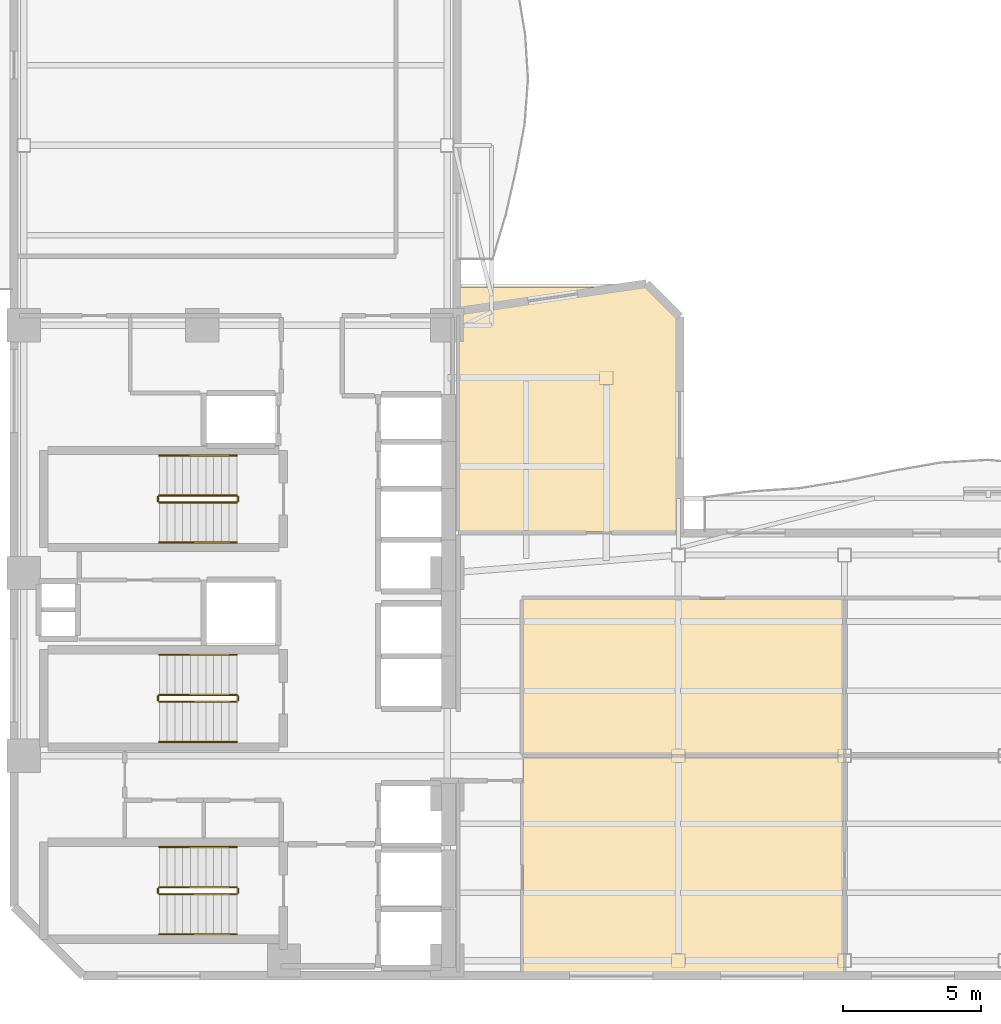
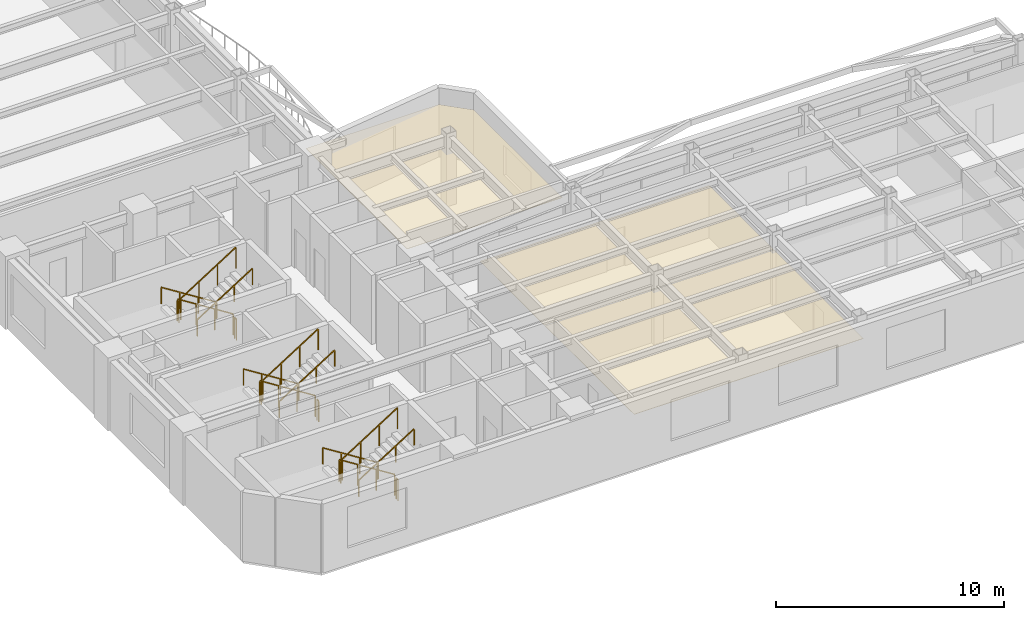
# One storey, part 7 of 9: 18 railings, 3 coverings.
"""IFC4 building model written with IfcOpenShell, lengths in metres."""

import ifcopenshell
import ifcopenshell.guid

model = None  # the IFC model being written
_history = None  # IfcOwnerHistory: only IFC2X3 demands one
_inside = {}  # id of a spatial element -> (the spatial element, [elements in it])
_under = {}  # id of a project, library or spatial element -> (it, [spatial elements below it])
_declared = {}  # id of a project -> (the project, [libraries it declares])
_typed = {}  # id of a type object -> (the type object, [elements of that type])
_made_of = {}  # id of a material, layer set ... -> (it, [elements and type objects made of it])


def new_model(schema):
    """Start an empty IFC model of exactly this schema.

    Asked for "IFC4X3", IfcOpenShell would pick the latest addendum, in which some entities
    have other attributes; the version numbers below select the first issue.
    IFC2X3 requires an IfcOwnerHistory on every rooted entity: one is made here for all.
    """
    global model, _history
    if schema == "IFC4X3":
        model = ifcopenshell.file(schema_version=(4, 3, 0, 0))
    else:
        model = ifcopenshell.file(schema=schema)
    _inside.clear()
    _under.clear()
    _declared.clear()
    _typed.clear()
    _made_of.clear()
    _history = None
    if model.schema == "IFC2X3":
        org = make("IfcOrganization", Name="unknown")
        user = make(
            "IfcPersonAndOrganization",
            ThePerson=make("IfcPerson", FamilyName="unknown"),
            TheOrganization=org,
        )
        app = make(
            "IfcApplication",
            ApplicationDeveloper=org,
            Version="unknown",
            ApplicationFullName="unknown",
            ApplicationIdentifier="unknown",
        )
        _history = make(
            "IfcOwnerHistory",
            OwningUser=user,
            OwningApplication=app,
            ChangeAction="ADDED",
            CreationDate=0,
        )
    return model


def make(cls, **values):
    """One entity of the class cls with the attributes given. An attribute that is None is left unset."""
    return model.create_entity(
        cls, **{name: value for name, value in values.items() if value is not None}
    )


def rooted(cls, **values):
    """An entity with a GlobalId (a new one), such as an element, a storey or a relation."""
    return make(cls, GlobalId=ifcopenshell.guid.new(), OwnerHistory=_history, **values)


def si_unit(unit_type, name, prefix=None):
    """IfcSIUnit, for example si_unit("LENGTHUNIT", "METRE", prefix="MILLI")."""
    return make("IfcSIUnit", UnitType=unit_type, Prefix=prefix, Name=name)


def assignment(units):
    """IfcUnitAssignment: the units of a project."""
    return None if units is None else make("IfcUnitAssignment", Units=units)


def point(xyz):
    """IfcCartesianPoint."""
    return None if xyz is None else make("IfcCartesianPoint", Coordinates=xyz)


def direction(xyz):
    """IfcDirection."""
    return None if xyz is None else make("IfcDirection", DirectionRatios=xyz)


def frame(location, z_axis=None, x_axis=None):
    """IfcAxis2Placement3D, a coordinate frame: its origin and axes. An axis left out is left unset."""
    return make(
        "IfcAxis2Placement3D",
        Location=point(location),
        Axis=direction(z_axis),
        RefDirection=direction(x_axis),
    )


def frame_2d(location, x_axis=None):
    """IfcAxis2Placement2D, a coordinate frame in the plane: its origin and x axis."""
    return make(
        "IfcAxis2Placement2D", Location=point(location), RefDirection=direction(x_axis)
    )


def origin():
    """The frame at (0, 0, 0) with its axes left unset."""
    return frame((0.0, 0.0, 0.0))


def origin_2d():
    """The frame at (0, 0) in the plane with its x axis left unset."""
    return frame_2d((0.0, 0.0))


def place(relative_to, where):
    """IfcLocalPlacement: puts the frame where relative to a parent placement (None: the world)."""
    return make(
        "IfcLocalPlacement", PlacementRelTo=relative_to, RelativePlacement=where
    )


def context(
    kind, dimensions, precision=None, world=None, true_north=None, identifier=None
):
    """IfcGeometricRepresentationContext, for example the 3D "Model" context."""
    return make(
        "IfcGeometricRepresentationContext",
        ContextIdentifier=identifier,
        ContextType=kind,
        CoordinateSpaceDimension=dimensions,
        Precision=precision,
        WorldCoordinateSystem=world,
        TrueNorth=true_north,
    )


def subcontext(parent, identifier, kind, view, scale=None):
    """IfcGeometricRepresentationSubContext, for example "Body" below "Model"."""
    return make(
        "IfcGeometricRepresentationSubContext",
        ContextIdentifier=identifier,
        ContextType=kind,
        ParentContext=parent,
        TargetScale=scale,
        TargetView=view,
    )


def project(units=None, contexts=None):
    """IfcProject with its units and contexts."""
    return rooted(
        "IfcProject",
        Name="project",
        RepresentationContexts=contexts,
        UnitsInContext=assignment(units),
    )


def spatial(cls, under=None, at=None, **own):
    """A site, building, storey or space (cls), placed at a placement, below another one or the project."""
    s = rooted(cls, ObjectPlacement=at, **own)
    if under is not None:
        _under.setdefault(under.id(), (under, []))[1].append(s)
    return s


def polyline(points):
    """IfcPolyline through the points."""
    return make("IfcPolyline", Points=[point(p) for p in points])


def profile(cls, at=None, kind="AREA", **sizes):
    """A parametric profile (cls). Its sizes go by their IFC names, for example OverallWidth=200.0."""
    return make(cls, ProfileType=kind, Position=at, **sizes)


def rectangle(**sizes):
    """IfcRectangleProfileDef."""
    return profile("IfcRectangleProfileDef", **sizes)


def outline(outer, holes=None, kind="AREA"):
    """IfcArbitraryClosedProfileDef: a profile drawn as a closed curve; with holes, ...WithVoids."""
    if holes is None:
        return make("IfcArbitraryClosedProfileDef", ProfileType=kind, OuterCurve=outer)
    return make(
        "IfcArbitraryProfileDefWithVoids",
        ProfileType=kind,
        OuterCurve=outer,
        InnerCurves=holes,
    )


def extrude(swept, where, along, depth):
    """IfcExtrudedAreaSolid: the profile swept, set in the frame where, extruded along a direction by depth."""
    return make(
        "IfcExtrudedAreaSolid",
        SweptArea=swept,
        Position=where,
        ExtrudedDirection=direction(along),
        Depth=depth,
    )


def shape(context_of_items, identifier, shape_type, items):
    """IfcShapeRepresentation: the items that make up one representation, for example the "Body"."""
    return make(
        "IfcShapeRepresentation",
        ContextOfItems=context_of_items,
        RepresentationIdentifier=identifier,
        RepresentationType=shape_type,
        Items=items,
    )


def material(Name=None, Category=None):
    """IfcMaterial."""
    return make("IfcMaterial", Name=Name, Category=Category)


def layer(
    of_material, thickness, ventilated=None, Name=None, Category=None, Priority=None
):
    """IfcMaterialLayer: one layer of a wall or slab, of a material (None: an air gap)."""
    return make(
        "IfcMaterialLayer",
        Material=of_material,
        LayerThickness=thickness,
        IsVentilated=ventilated,
        Name=Name,
        Category=Category,
        Priority=Priority,
    )


def layer_set(layers, Name=None):
    """IfcMaterialLayerSet."""
    return make("IfcMaterialLayerSet", MaterialLayers=layers, LayerSetName=Name)


def made_of(thing, what):
    """Note that an element or type object is made of a material, layer set ...; save() writes the relation."""
    if what is not None:
        _made_of.setdefault(what.id(), (what, []))[1].append(thing)
    return thing


def type_object(cls, material=None, **own):
    """A type object (cls), such as IfcWallType, which elements share."""
    return made_of(rooted(cls, **own), material)


def element(
    cls,
    number,
    at=None,
    inside=None,
    cuts=None,
    type_object=None,
    material=None,
    context=None,
    identifier="Body",
    shape_type=None,
    held_by="IfcProductDefinitionShape",
    body=None,
    shapes=None,
    **own,
):
    """One element of the class cls, such as IfcWall. Its Tag is "e" and its number.

    at: its placement. inside: the storey or other place that contains it. cuts: it is an
    opening in that element (IfcRelVoidsElement). A single representation is given by context,
    identifier, shape_type and body (its items); several are given by shapes. held_by: the class
    of the entity that holds the representations. save() writes the other relations.
    """
    e = rooted(cls, Tag="e%d" % number, ObjectPlacement=at, **own)
    if body is not None:
        shapes = [shape(context, identifier, shape_type, body)]
    if shapes is not None:
        e.Representation = make(held_by, Representations=shapes)
    if inside is not None:
        _inside.setdefault(inside.id(), (inside, []))[1].append(e)
    if cuts is not None:
        rooted(
            "IfcRelVoidsElement", RelatingBuildingElement=cuts, RelatedOpeningElement=e
        )
    if type_object is not None:
        _typed.setdefault(type_object.id(), (type_object, []))[1].append(e)
    return made_of(e, material)


def aggregate(whole, parts):
    """IfcRelAggregates: a whole, such as a stair, and the parts it consists of."""
    return rooted("IfcRelAggregates", RelatingObject=whole, RelatedObjects=parts)


def save(model, path):
    """Write the relations noted so far, then the file.

    IfcRelAggregates (storeys below a building ...), IfcRelContainedInSpatialStructure (elements
    in a storey), IfcRelDefinesByType, IfcRelAssociatesMaterial and IfcRelDeclares: one each for
    every whole, place, type object, material and project.
    """
    for whole, parts in _under.values():
        aggregate(whole, parts)
    for where, things in _inside.values():
        rooted(
            "IfcRelContainedInSpatialStructure",
            RelatedElements=things,
            RelatingStructure=where,
        )
    for kind, things in _typed.values():
        rooted("IfcRelDefinesByType", RelatedObjects=things, RelatingType=kind)
    for what, things in _made_of.values():
        rooted("IfcRelAssociatesMaterial", RelatedObjects=things, RelatingMaterial=what)
    for by, libraries in _declared.values():
        rooted("IfcRelDeclares", RelatingContext=by, RelatedDefinitions=libraries)
    model.write(path)


model = new_model("IFC4")

# Units and contexts
model_context = context("Model", 3, precision=1e-05, world=origin(), true_north=direction((0.0, 1.0)))
body_context = subcontext(model_context, "Body", "Model", "MODEL_VIEW")
ifc_project = project(units=[si_unit("LENGTHUNIT", "METRE"), si_unit("AREAUNIT", "SQUARE_METRE"), si_unit("VOLUMEUNIT", "CUBIC_METRE"), si_unit("PLANEANGLEUNIT", "RADIAN"), si_unit("MASSUNIT", "GRAM", prefix="KILO")], contexts=[model_context])

# Site, building, storey
site_placement = place(None, origin())
site = spatial("IfcSite", under=ifc_project, at=site_placement, CompositionType="ELEMENT")
building_placement = place(site_placement, origin())
building = spatial("IfcBuilding", under=site, at=building_placement, Name="Mawjaban Terraces University", CompositionType="ELEMENT")
storey_placement = place(building_placement, frame((0.0, 0.0, 146.300048828125)))
storey = spatial("IfcBuildingStorey", under=building, at=storey_placement, Name="L35", CompositionType="ELEMENT", Elevation=146.300048828125)

# Coverings
ifc_material_1 = material(Name="Acoustic mineral fibre ceiling tile", Category="masonry")
ifc_layer = layer(ifc_material_1, 0.02001953125)
ifc_layer_set = layer_set([ifc_layer], Name="Acoustic mineral fibre ceiling tile")
covering_type = type_object("IfcCoveringType", Name="AcousticMineralCeiling_20", PredefinedType="CEILING", material=ifc_layer_set)
covering_1_placement = place(storey_placement, frame((0.0, 0.0, 2.75)))
element("IfcCovering", 1, at=covering_1_placement, inside=storey, type_object=covering_type, Name="L35 Graduate Study Lounge 2 Acoustic Ceiling", PredefinedType="CEILING", context=body_context, shape_type="SweptSolid", body=[
    extrude(outline(polyline([(40.3798828125, 0.114990234375), (51.969970703125, 0.114990234375), (51.969970703125, 7.919921875), (40.3798828125, 7.919921875), (40.3798828125, 0.114990234375)])), origin(), (0.0, 0.0, 1.0), 0.02001953125),
])
covering_2_placement = place(storey_placement, frame((0.0, 0.0, 2.75)))
element("IfcCovering", 2, at=covering_2_placement, inside=storey, type_object=covering_type, Name="L35 Collaborative Study Room 3 Acoustic Ceiling", PredefinedType="CEILING", context=body_context, shape_type="SweptSolid", body=[
    extrude(outline(polyline([(51.969970703125, 7.97998046875), (51.969970703125, 13.6201171875), (40.3798828125, 13.6201171875), (40.3798828125, 7.97998046875), (51.969970703125, 7.97998046875)])), origin(), (0.0, 0.0, 1.0), 0.02001953125),
])
covering_3_placement = place(storey_placement, frame((0.0, 0.0, 2.75)))
element("IfcCovering", 3, at=covering_3_placement, inside=storey, type_object=covering_type, Name="L35 Terrace Collaborative Study Room Acoustic Ceiling", PredefinedType="CEILING", context=body_context, shape_type="SweptSolid", body=[
    extrude(outline(polyline([(45.930908203125, 16.030029296875), (45.930908203125, 23.7529296875), (44.799072265625, 24.885009765625), (38.080078125, 24.885009765625), (38.080078125, 16.030029296875), (45.930908203125, 16.030029296875)])), origin(), (0.0, 0.0, 1.0), 0.02001953125),
])

# Railings
ifc_material_2 = material(Name="Brushed stainless steel 316", Category="steel")
railing_type_1 = type_object("IfcRailingType", Name="StairWallHandrail_900", PredefinedType="HANDRAIL", material=ifc_material_2)
railing_1_placement = place(storey_placement, frame((30.050048828125, 4.64990234375, 0.17724609375)))
element("IfcRailing", 4, at=railing_1_placement, inside=storey, type_object=railing_type_1, Name="L35 ST-1 stair handrail 1", PredefinedType="HANDRAIL", context=body_context, shape_type="SweptSolid", body=[
    extrude(rectangle(XDim=0.048095703125, YDim=0.048095703125, at=origin_2d()), frame((0.0, 0.0, 0.8759765625), z_axis=(-0.844908973607, 0.0, 0.534910110503), x_axis=(0.0, -1.0, 0.0)), (0.0, 0.0, 1.0), 3.31396484375),
    extrude(rectangle(XDim=0.0419921875, YDim=0.0419921875, at=origin_2d()), origin(), (0.0, 0.0, 1.0), 0.851806640625),
    extrude(rectangle(XDim=0.0419921875, YDim=0.0419921875, at=origin_2d()), frame((-0.933349609375, 0.0, 0.5908203125)), (0.0, 0.0, 1.0), 0.851806640625),
    extrude(rectangle(XDim=0.0419921875, YDim=0.0419921875, at=origin_2d()), frame((-1.86669921875, 0.0, 1.181884765625)), (0.0, 0.0, 1.0), 0.851806640625),
    extrude(rectangle(XDim=0.0419921875, YDim=0.0419921875, at=origin_2d()), frame((-2.800048828125, 0.0, 1.772705078125)), (0.0, 0.0, 1.0), 0.851806640625),
])
railing_2_placement = place(storey_placement, frame((27.25, 1.5, 2.127197265625)))
element("IfcRailing", 5, at=railing_2_placement, inside=storey, type_object=railing_type_1, Name="L35 ST-1 stair handrail 2", PredefinedType="HANDRAIL", context=body_context, shape_type="SweptSolid", body=[
    extrude(rectangle(XDim=0.048095703125, YDim=0.048095703125, at=origin_2d()), frame((0.0, 0.0, 0.8759765625), z_axis=(0.844908973607, 0.0, 0.534910110503), x_axis=(0.0, 1.0, 0.0)), (0.0, 0.0, 1.0), 3.31396484375),
    extrude(rectangle(XDim=0.0419921875, YDim=0.0419921875, at=origin_2d()), origin(), (0.0, 0.0, 1.0), 0.851806640625),
    extrude(rectangle(XDim=0.0419921875, YDim=0.0419921875, at=origin_2d()), frame((0.933349609375, 0.0, 0.5908203125)), (0.0, 0.0, 1.0), 0.851806640625),
    extrude(rectangle(XDim=0.0419921875, YDim=0.0419921875, at=origin_2d()), frame((1.86669921875, 0.0, 1.181884765625)), (0.0, 0.0, 1.0), 0.851806640625),
    extrude(rectangle(XDim=0.0419921875, YDim=0.0419921875, at=origin_2d()), frame((2.800048828125, 0.0, 1.772705078125)), (0.0, 0.0, 1.0), 0.851806640625),
])
railing_3_placement = place(storey_placement, frame((30.050048828125, 18.800048828125, 0.17724609375)))
element("IfcRailing", 6, at=railing_3_placement, inside=storey, type_object=railing_type_1, Name="L35 ST-2 stair handrail 1", PredefinedType="HANDRAIL", context=body_context, shape_type="SweptSolid", body=[
    extrude(rectangle(XDim=0.048095703125, YDim=0.048095703125, at=origin_2d()), frame((0.0, 0.0, 0.8759765625), z_axis=(-0.844908973607, 0.0, 0.534910110503), x_axis=(0.0, -1.0, 0.0)), (0.0, 0.0, 1.0), 3.31396484375),
    extrude(rectangle(XDim=0.0419921875, YDim=0.0419921875, at=origin_2d()), origin(), (0.0, 0.0, 1.0), 0.851806640625),
    extrude(rectangle(XDim=0.0419921875, YDim=0.0419921875, at=origin_2d()), frame((-0.933349609375, 0.0, 0.5908203125)), (0.0, 0.0, 1.0), 0.851806640625),
    extrude(rectangle(XDim=0.0419921875, YDim=0.0419921875, at=origin_2d()), frame((-1.86669921875, 0.0, 1.181884765625)), (0.0, 0.0, 1.0), 0.851806640625),
    extrude(rectangle(XDim=0.0419921875, YDim=0.0419921875, at=origin_2d()), frame((-2.800048828125, 0.0, 1.772705078125)), (0.0, 0.0, 1.0), 0.851806640625),
])
railing_4_placement = place(storey_placement, frame((27.25, 15.64990234375, 2.127197265625)))
element("IfcRailing", 7, at=railing_4_placement, inside=storey, type_object=railing_type_1, Name="L35 ST-2 stair handrail 2", PredefinedType="HANDRAIL", context=body_context, shape_type="SweptSolid", body=[
    extrude(rectangle(XDim=0.048095703125, YDim=0.048095703125, at=origin_2d()), frame((0.0, 0.0, 0.8759765625), z_axis=(0.844908973607, 0.0, 0.534910110503), x_axis=(0.0, 1.0, 0.0)), (0.0, 0.0, 1.0), 3.31396484375),
    extrude(rectangle(XDim=0.0419921875, YDim=0.0419921875, at=origin_2d()), origin(), (0.0, 0.0, 1.0), 0.851806640625),
    extrude(rectangle(XDim=0.0419921875, YDim=0.0419921875, at=origin_2d()), frame((0.933349609375, 0.0, 0.5908203125)), (0.0, 0.0, 1.0), 0.851806640625),
    extrude(rectangle(XDim=0.0419921875, YDim=0.0419921875, at=origin_2d()), frame((1.86669921875, 0.0, 1.181884765625)), (0.0, 0.0, 1.0), 0.851806640625),
    extrude(rectangle(XDim=0.0419921875, YDim=0.0419921875, at=origin_2d()), frame((2.800048828125, 0.0, 1.772705078125)), (0.0, 0.0, 1.0), 0.851806640625),
])
railing_5_placement = place(storey_placement, frame((30.050048828125, 11.60009765625, 0.17724609375)))
element("IfcRailing", 8, at=railing_5_placement, inside=storey, type_object=railing_type_1, Name="L35 ST-3 stair handrail 1", PredefinedType="HANDRAIL", context=body_context, shape_type="SweptSolid", body=[
    extrude(rectangle(XDim=0.048095703125, YDim=0.048095703125, at=origin_2d()), frame((0.0, 0.0, 0.8759765625), z_axis=(-0.844908973607, 0.0, 0.534910110503), x_axis=(0.0, -1.0, 0.0)), (0.0, 0.0, 1.0), 3.31396484375),
    extrude(rectangle(XDim=0.0419921875, YDim=0.0419921875, at=origin_2d()), origin(), (0.0, 0.0, 1.0), 0.851806640625),
    extrude(rectangle(XDim=0.0419921875, YDim=0.0419921875, at=origin_2d()), frame((-0.933349609375, 0.0, 0.5908203125)), (0.0, 0.0, 1.0), 0.851806640625),
    extrude(rectangle(XDim=0.0419921875, YDim=0.0419921875, at=origin_2d()), frame((-1.86669921875, 0.0, 1.181884765625)), (0.0, 0.0, 1.0), 0.851806640625),
    extrude(rectangle(XDim=0.0419921875, YDim=0.0419921875, at=origin_2d()), frame((-2.800048828125, 0.0, 1.772705078125)), (0.0, 0.0, 1.0), 0.851806640625),
])
railing_6_placement = place(storey_placement, frame((27.25, 8.449951171875, 2.127197265625)))
element("IfcRailing", 9, at=railing_6_placement, inside=storey, type_object=railing_type_1, Name="L35 ST-3 stair handrail 2", PredefinedType="HANDRAIL", context=body_context, shape_type="SweptSolid", body=[
    extrude(rectangle(XDim=0.048095703125, YDim=0.048095703125, at=origin_2d()), frame((0.0, 0.0, 0.8759765625), z_axis=(0.844908973607, 0.0, 0.534910110503), x_axis=(0.0, 1.0, 0.0)), (0.0, 0.0, 1.0), 3.31396484375),
    extrude(rectangle(XDim=0.0419921875, YDim=0.0419921875, at=origin_2d()), origin(), (0.0, 0.0, 1.0), 0.851806640625),
    extrude(rectangle(XDim=0.0419921875, YDim=0.0419921875, at=origin_2d()), frame((0.933349609375, 0.0, 0.5908203125)), (0.0, 0.0, 1.0), 0.851806640625),
    extrude(rectangle(XDim=0.0419921875, YDim=0.0419921875, at=origin_2d()), frame((1.86669921875, 0.0, 1.181884765625)), (0.0, 0.0, 1.0), 0.851806640625),
    extrude(rectangle(XDim=0.0419921875, YDim=0.0419921875, at=origin_2d()), frame((2.800048828125, 0.0, 1.772705078125)), (0.0, 0.0, 1.0), 0.851806640625),
])
ifc_material_3 = material(Name="Galvanised painted steel S355", Category="steel")
railing_type_2 = type_object("IfcRailingType", Name="StairWellGuard_1150", PredefinedType="BALUSTRADE", material=ifc_material_3)
railing_7_placement = place(storey_placement, frame((30.050048828125, 3.199951171875, 0.17724609375)))
element("IfcRailing", 10, at=railing_7_placement, inside=storey, type_object=railing_type_2, Name="L35 ST-1 stair guard 1", PredefinedType="BALUSTRADE", context=body_context, shape_type="SweptSolid", body=[
    extrude(rectangle(XDim=0.048095703125, YDim=0.048095703125, at=origin_2d()), frame((0.0, 0.0, 1.1259765625), z_axis=(-0.844908973607, 0.0, 0.534910110503), x_axis=(0.0, -1.0, 0.0)), (0.0, 0.0, 1.0), 3.31396484375),
    extrude(rectangle(XDim=0.0419921875, YDim=0.0419921875, at=origin_2d()), origin(), (0.0, 0.0, 1.0), 1.101806640625),
    extrude(rectangle(XDim=0.0419921875, YDim=0.0419921875, at=origin_2d()), frame((-0.933349609375, 0.0, 0.5908203125)), (0.0, 0.0, 1.0), 1.101806640625),
    extrude(rectangle(XDim=0.0419921875, YDim=0.0419921875, at=origin_2d()), frame((-1.86669921875, 0.0, 1.181884765625)), (0.0, 0.0, 1.0), 1.101806640625),
    extrude(rectangle(XDim=0.0419921875, YDim=0.0419921875, at=origin_2d()), frame((-2.800048828125, 0.0, 1.772705078125)), (0.0, 0.0, 1.0), 1.101806640625),
])
railing_8_placement = place(storey_placement, frame((27.199951171875, 3.14990234375, 1.949951171875)))
element("IfcRailing", 11, at=railing_8_placement, inside=storey, type_object=railing_type_2, Name="L35 ST-1 stair guard 2", PredefinedType="BALUSTRADE", context=body_context, shape_type="SweptSolid", body=[
    extrude(rectangle(XDim=0.048095703125, YDim=0.048095703125, at=origin_2d()), frame((0.0, 0.0, 1.1259765625), z_axis=(0.0, -1.0, 0.0), x_axis=(1.0, 0.0, 0.0)), (0.0, 0.0, 1.0), 0.14990234375),
    extrude(rectangle(XDim=0.0419921875, YDim=0.0419921875, at=origin_2d()), origin(), (0.0, 0.0, 1.0), 1.101806640625),
    extrude(rectangle(XDim=0.0419921875, YDim=0.0419921875, at=origin_2d()), frame((0.0, -0.14990234375, 0.0)), (0.0, 0.0, 1.0), 1.101806640625),
])
railing_9_placement = place(storey_placement, frame((27.25, 2.949951171875, 2.127197265625)))
element("IfcRailing", 12, at=railing_9_placement, inside=storey, type_object=railing_type_2, Name="L35 ST-1 stair guard 3", PredefinedType="BALUSTRADE", context=body_context, shape_type="SweptSolid", body=[
    extrude(rectangle(XDim=0.048095703125, YDim=0.048095703125, at=origin_2d()), frame((0.0, 0.0, 1.1259765625), z_axis=(0.844908973607, 0.0, 0.534910110503), x_axis=(0.0, 1.0, 0.0)), (0.0, 0.0, 1.0), 3.31396484375),
    extrude(rectangle(XDim=0.0419921875, YDim=0.0419921875, at=origin_2d()), origin(), (0.0, 0.0, 1.0), 1.101806640625),
    extrude(rectangle(XDim=0.0419921875, YDim=0.0419921875, at=origin_2d()), frame((0.933349609375, 0.0, 0.5908203125)), (0.0, 0.0, 1.0), 1.101806640625),
    extrude(rectangle(XDim=0.0419921875, YDim=0.0419921875, at=origin_2d()), frame((1.86669921875, 0.0, 1.181884765625)), (0.0, 0.0, 1.0), 1.101806640625),
    extrude(rectangle(XDim=0.0419921875, YDim=0.0419921875, at=origin_2d()), frame((2.800048828125, 0.0, 1.772705078125)), (0.0, 0.0, 1.0), 1.101806640625),
])
railing_10_placement = place(storey_placement, frame((30.10009765625, 3.14990234375, 0.0)))
element("IfcRailing", 13, at=railing_10_placement, inside=storey, type_object=railing_type_2, Name="L35 ST-1 stair guard 4", PredefinedType="BALUSTRADE", context=body_context, shape_type="SweptSolid", body=[
    extrude(rectangle(XDim=0.048095703125, YDim=0.048095703125, at=origin_2d()), frame((0.0, 0.0, 1.1259765625), z_axis=(0.0, -1.0, 0.0), x_axis=(1.0, 0.0, 0.0)), (0.0, 0.0, 1.0), 0.14990234375),
    extrude(rectangle(XDim=0.0419921875, YDim=0.0419921875, at=origin_2d()), origin(), (0.0, 0.0, 1.0), 1.101806640625),
    extrude(rectangle(XDim=0.0419921875, YDim=0.0419921875, at=origin_2d()), frame((0.0, -0.14990234375, 0.0)), (0.0, 0.0, 1.0), 1.101806640625),
])
railing_11_placement = place(storey_placement, frame((30.050048828125, 17.35009765625, 0.17724609375)))
element("IfcRailing", 14, at=railing_11_placement, inside=storey, type_object=railing_type_2, Name="L35 ST-2 stair guard 1", PredefinedType="BALUSTRADE", context=body_context, shape_type="SweptSolid", body=[
    extrude(rectangle(XDim=0.048095703125, YDim=0.048095703125, at=origin_2d()), frame((0.0, 0.0, 1.1259765625), z_axis=(-0.844908973607, 0.0, 0.534910110503), x_axis=(0.0, -1.0, 0.0)), (0.0, 0.0, 1.0), 3.31396484375),
    extrude(rectangle(XDim=0.0419921875, YDim=0.0419921875, at=origin_2d()), origin(), (0.0, 0.0, 1.0), 1.101806640625),
    extrude(rectangle(XDim=0.0419921875, YDim=0.0419921875, at=origin_2d()), frame((-0.933349609375, 0.0, 0.5908203125)), (0.0, 0.0, 1.0), 1.101806640625),
    extrude(rectangle(XDim=0.0419921875, YDim=0.0419921875, at=origin_2d()), frame((-1.86669921875, 0.0, 1.181884765625)), (0.0, 0.0, 1.0), 1.101806640625),
    extrude(rectangle(XDim=0.0419921875, YDim=0.0419921875, at=origin_2d()), frame((-2.800048828125, 0.0, 1.772705078125)), (0.0, 0.0, 1.0), 1.101806640625),
])
railing_12_placement = place(storey_placement, frame((27.199951171875, 17.300048828125, 1.949951171875)))
element("IfcRailing", 15, at=railing_12_placement, inside=storey, type_object=railing_type_2, Name="L35 ST-2 stair guard 2", PredefinedType="BALUSTRADE", context=body_context, shape_type="SweptSolid", body=[
    extrude(rectangle(XDim=0.048095703125, YDim=0.048095703125, at=origin_2d()), frame((0.0, 0.0, 1.1259765625), z_axis=(0.0, -1.0, 0.0), x_axis=(1.0, 0.0, 0.0)), (0.0, 0.0, 1.0), 0.150146484375),
    extrude(rectangle(XDim=0.0419921875, YDim=0.0419921875, at=origin_2d()), origin(), (0.0, 0.0, 1.0), 1.101806640625),
    extrude(rectangle(XDim=0.0419921875, YDim=0.0419921875, at=origin_2d()), frame((0.0, -0.150146484375, 0.0)), (0.0, 0.0, 1.0), 1.101806640625),
])
railing_13_placement = place(storey_placement, frame((27.25, 17.10009765625, 2.127197265625)))
element("IfcRailing", 16, at=railing_13_placement, inside=storey, type_object=railing_type_2, Name="L35 ST-2 stair guard 3", PredefinedType="BALUSTRADE", context=body_context, shape_type="SweptSolid", body=[
    extrude(rectangle(XDim=0.048095703125, YDim=0.048095703125, at=origin_2d()), frame((0.0, 0.0, 1.1259765625), z_axis=(0.844908973607, 0.0, 0.534910110503), x_axis=(0.0, 1.0, 0.0)), (0.0, 0.0, 1.0), 3.31396484375),
    extrude(rectangle(XDim=0.0419921875, YDim=0.0419921875, at=origin_2d()), origin(), (0.0, 0.0, 1.0), 1.101806640625),
    extrude(rectangle(XDim=0.0419921875, YDim=0.0419921875, at=origin_2d()), frame((0.933349609375, 0.0, 0.5908203125)), (0.0, 0.0, 1.0), 1.101806640625),
    extrude(rectangle(XDim=0.0419921875, YDim=0.0419921875, at=origin_2d()), frame((1.86669921875, 0.0, 1.181884765625)), (0.0, 0.0, 1.0), 1.101806640625),
    extrude(rectangle(XDim=0.0419921875, YDim=0.0419921875, at=origin_2d()), frame((2.800048828125, 0.0, 1.772705078125)), (0.0, 0.0, 1.0), 1.101806640625),
])
railing_14_placement = place(storey_placement, frame((30.10009765625, 17.300048828125, 0.0)))
element("IfcRailing", 17, at=railing_14_placement, inside=storey, type_object=railing_type_2, Name="L35 ST-2 stair guard 4", PredefinedType="BALUSTRADE", context=body_context, shape_type="SweptSolid", body=[
    extrude(rectangle(XDim=0.048095703125, YDim=0.048095703125, at=origin_2d()), frame((0.0, 0.0, 1.1259765625), z_axis=(0.0, -1.0, 0.0), x_axis=(1.0, 0.0, 0.0)), (0.0, 0.0, 1.0), 0.150146484375),
    extrude(rectangle(XDim=0.0419921875, YDim=0.0419921875, at=origin_2d()), origin(), (0.0, 0.0, 1.0), 1.101806640625),
    extrude(rectangle(XDim=0.0419921875, YDim=0.0419921875, at=origin_2d()), frame((0.0, -0.150146484375, 0.0)), (0.0, 0.0, 1.0), 1.101806640625),
])
railing_15_placement = place(storey_placement, frame((30.050048828125, 10.14990234375, 0.17724609375)))
element("IfcRailing", 18, at=railing_15_placement, inside=storey, type_object=railing_type_2, Name="L35 ST-3 stair guard 1", PredefinedType="BALUSTRADE", context=body_context, shape_type="SweptSolid", body=[
    extrude(rectangle(XDim=0.048095703125, YDim=0.048095703125, at=origin_2d()), frame((0.0, 0.0, 1.1259765625), z_axis=(-0.844908973607, 0.0, 0.534910110503), x_axis=(0.0, -1.0, 0.0)), (0.0, 0.0, 1.0), 3.31396484375),
    extrude(rectangle(XDim=0.0419921875, YDim=0.0419921875, at=origin_2d()), origin(), (0.0, 0.0, 1.0), 1.101806640625),
    extrude(rectangle(XDim=0.0419921875, YDim=0.0419921875, at=origin_2d()), frame((-0.933349609375, 0.0, 0.5908203125)), (0.0, 0.0, 1.0), 1.101806640625),
    extrude(rectangle(XDim=0.0419921875, YDim=0.0419921875, at=origin_2d()), frame((-1.86669921875, 0.0, 1.181884765625)), (0.0, 0.0, 1.0), 1.101806640625),
    extrude(rectangle(XDim=0.0419921875, YDim=0.0419921875, at=origin_2d()), frame((-2.800048828125, 0.0, 1.772705078125)), (0.0, 0.0, 1.0), 1.101806640625),
])
railing_16_placement = place(storey_placement, frame((27.199951171875, 10.10009765625, 1.949951171875)))
element("IfcRailing", 19, at=railing_16_placement, inside=storey, type_object=railing_type_2, Name="L35 ST-3 stair guard 2", PredefinedType="BALUSTRADE", context=body_context, shape_type="SweptSolid", body=[
    extrude(rectangle(XDim=0.048095703125, YDim=0.048095703125, at=origin_2d()), frame((0.0, 0.0, 1.1259765625), z_axis=(0.0, -1.0, 0.0), x_axis=(1.0, 0.0, 0.0)), (0.0, 0.0, 1.0), 0.150146484375),
    extrude(rectangle(XDim=0.0419921875, YDim=0.0419921875, at=origin_2d()), origin(), (0.0, 0.0, 1.0), 1.101806640625),
    extrude(rectangle(XDim=0.0419921875, YDim=0.0419921875, at=origin_2d()), frame((0.0, -0.150146484375, 0.0)), (0.0, 0.0, 1.0), 1.101806640625),
])
railing_17_placement = place(storey_placement, frame((27.25, 9.89990234375, 2.127197265625)))
element("IfcRailing", 20, at=railing_17_placement, inside=storey, type_object=railing_type_2, Name="L35 ST-3 stair guard 3", PredefinedType="BALUSTRADE", context=body_context, shape_type="SweptSolid", body=[
    extrude(rectangle(XDim=0.048095703125, YDim=0.048095703125, at=origin_2d()), frame((0.0, 0.0, 1.1259765625), z_axis=(0.844908973607, 0.0, 0.534910110503), x_axis=(0.0, 1.0, 0.0)), (0.0, 0.0, 1.0), 3.31396484375),
    extrude(rectangle(XDim=0.0419921875, YDim=0.0419921875, at=origin_2d()), origin(), (0.0, 0.0, 1.0), 1.101806640625),
    extrude(rectangle(XDim=0.0419921875, YDim=0.0419921875, at=origin_2d()), frame((0.933349609375, 0.0, 0.5908203125)), (0.0, 0.0, 1.0), 1.101806640625),
    extrude(rectangle(XDim=0.0419921875, YDim=0.0419921875, at=origin_2d()), frame((1.86669921875, 0.0, 1.181884765625)), (0.0, 0.0, 1.0), 1.101806640625),
    extrude(rectangle(XDim=0.0419921875, YDim=0.0419921875, at=origin_2d()), frame((2.800048828125, 0.0, 1.772705078125)), (0.0, 0.0, 1.0), 1.101806640625),
])
railing_18_placement = place(storey_placement, frame((30.10009765625, 10.10009765625, 0.0)))
element("IfcRailing", 21, at=railing_18_placement, inside=storey, type_object=railing_type_2, Name="L35 ST-3 stair guard 4", PredefinedType="BALUSTRADE", context=body_context, shape_type="SweptSolid", body=[
    extrude(rectangle(XDim=0.048095703125, YDim=0.048095703125, at=origin_2d()), frame((0.0, 0.0, 1.1259765625), z_axis=(0.0, -1.0, 0.0), x_axis=(1.0, 0.0, 0.0)), (0.0, 0.0, 1.0), 0.150146484375),
    extrude(rectangle(XDim=0.0419921875, YDim=0.0419921875, at=origin_2d()), origin(), (0.0, 0.0, 1.0), 1.101806640625),
    extrude(rectangle(XDim=0.0419921875, YDim=0.0419921875, at=origin_2d()), frame((0.0, -0.150146484375, 0.0)), (0.0, 0.0, 1.0), 1.101806640625),
])

save(model, "model.ifc")
